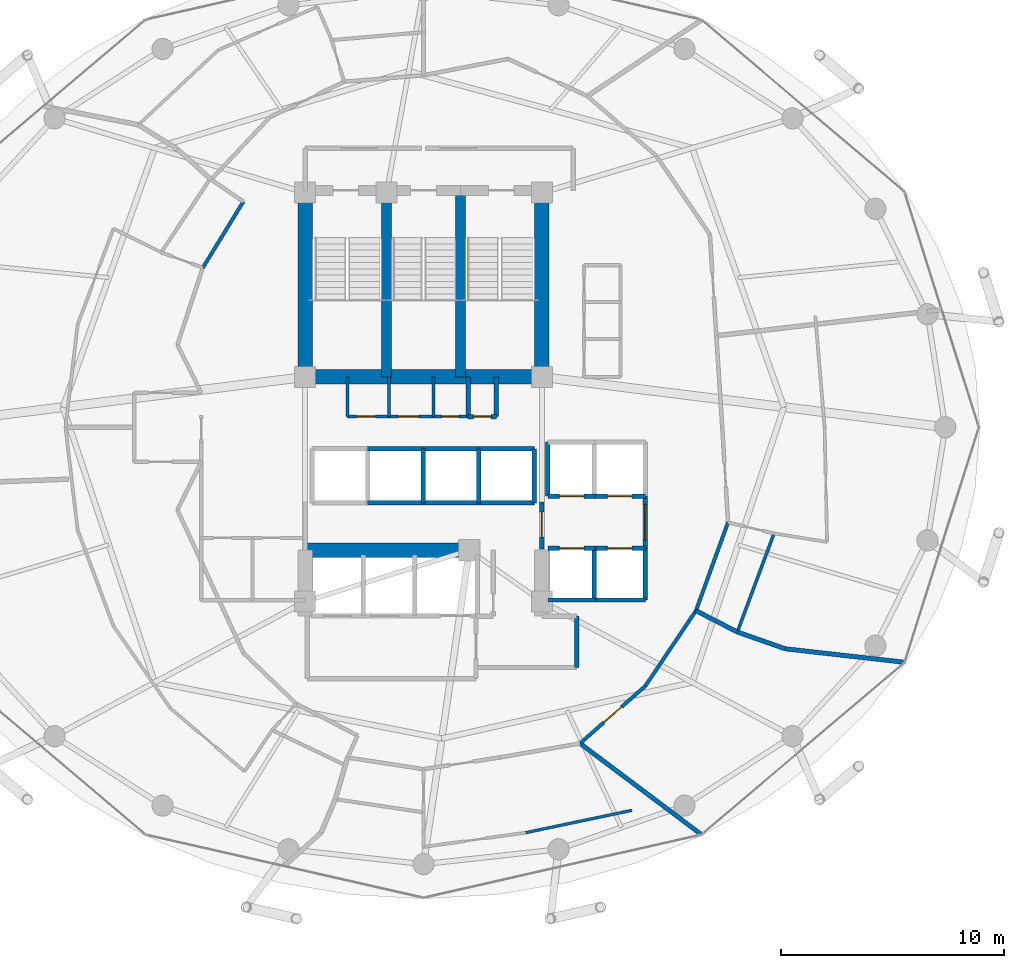
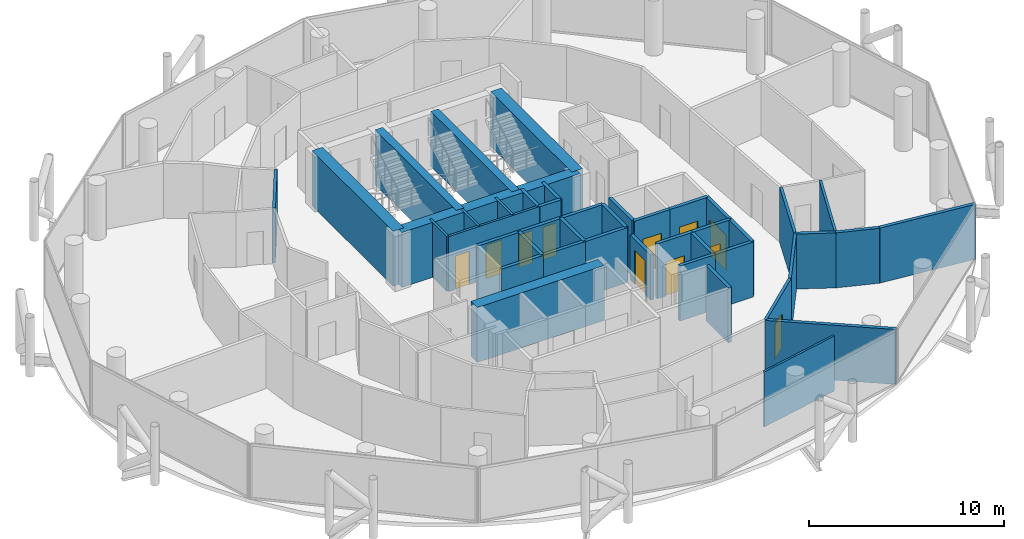
# One storey, part 23 of 26: 44 walls, 11 doors, 11 openings.
"""IFC4 building model written with IfcOpenShell, lengths in metres."""

from ifc_helpers import new_model, si_unit, direction, frame, frame_2d, origin, place, context, subcontext, project, spatial, rectangle, extrude, material, layer, layer_set, type_object, element, fill, save


model = new_model("IFC4")

# Units and contexts
model_context = context("Model", 3, precision=1e-05, world=origin(), true_north=direction((0.0, 1.0)))
body_context = subcontext(model_context, "Body", "Model", "MODEL_VIEW")
ifc_project = project(units=[si_unit("LENGTHUNIT", "METRE"), si_unit("AREAUNIT", "SQUARE_METRE"), si_unit("VOLUMEUNIT", "CUBIC_METRE"), si_unit("PLANEANGLEUNIT", "RADIAN"), si_unit("MASSUNIT", "GRAM", prefix="KILO")], contexts=[model_context])

# Site, building, storey
site_placement = place(None, origin())
site = spatial("IfcSite", under=ifc_project, at=site_placement, CompositionType="ELEMENT")
building_placement = place(site_placement, origin())
building = spatial("IfcBuilding", under=site, at=building_placement, Name="Nuhasar Tower", CompositionType="ELEMENT")
storey_placement = place(building_placement, frame((0.0, 0.0, 136.75)))
storey = spatial("IfcBuildingStorey", under=building, at=storey_placement, Name="L32", CompositionType="ELEMENT", Elevation=136.75)

# Walls
ifc_material_1 = material(Name="Concrete C50/60", Category="concrete")
ifc_layer_1 = layer(ifc_material_1, 0.449951171875)
ifc_layer_set_1 = layer_set([ifc_layer_1], Name="Concrete C50/60")
wall_type_1 = type_object("IfcWallType", Name="WL-CORE-450", PredefinedType="SHEAR", material=ifc_layer_set_1)
for number, where, z_axis, x_axis, name in (
    (1, (37.35009765625, 29.050048828125, 0.0), (0.0, 0.0, 1.0), (0.0, 1.0, 0.0), "L32 Stairwell Shear Wall ST01-E"),
    (2, (40.64990234375, 29.050048828125, 0.0), (0.0, 0.0, 1.0), (0.0, 1.0, 0.0), "L32 Stairwell Shear Wall ST03-E"),
):
    element("IfcWall", number, at=place(storey_placement, frame(where, z_axis=z_axis, x_axis=x_axis)), inside=storey, type_object=wall_type_1, Name=name, PredefinedType="SHEAR", context=body_context, shape_type="SweptSolid", body=[
        extrude(rectangle(XDim=8.349853515625, YDim=0.449951171875, at=frame_2d((4.1748046875, 0.0))), origin(), (0.0, 0.0, 1.0), 3.449951171875),
    ])
ifc_material_2 = material(Name="Concrete C65/80", Category="concrete")
ifc_layer_2 = layer(ifc_material_2, 0.64990234375)
ifc_layer_set_2 = layer_set([ifc_layer_2], Name="Concrete C65/80")
wall_type_2 = type_object("IfcWallType", Name="WL-CORE-650", PredefinedType="SHEAR", material=ifc_layer_set_2)
for number, where, z_axis, x_axis, name in (
    (3, (33.699951171875, 29.050048828125, 0.0), (0.0, 0.0, 1.0), (0.0, 1.0, 0.0), "L32 Core Shear Wall CW-NW CW-650"),
    (4, (44.300048828125, 29.050048828125, 0.0), (0.0, 0.0, 1.0), (0.0, 1.0, 0.0), "L32 Core Shear Wall CW-NE CW-650"),
):
    element("IfcWall", number, at=place(storey_placement, frame(where, z_axis=z_axis, x_axis=x_axis)), inside=storey, type_object=wall_type_2, Name=name, PredefinedType="SHEAR", context=body_context, shape_type="SweptSolid", body=[
        extrude(rectangle(XDim=8.349853515625, YDim=0.64990234375, at=frame_2d((4.1748046875, 0.0))), origin(), (0.0, 0.0, 1.0), 3.449951171875),
    ])
wall_1_placement = place(storey_placement, frame((33.699951171875, 29.050048828125, 0.0), z_axis=(0.0, 0.0, 1.0), x_axis=(1.0, 0.0, 0.0)))
element("IfcWall", 5, at=wall_1_placement, inside=storey, type_object=wall_type_2, Name="L32 Core Shear Wall CW-N1 CW-650", PredefinedType="SHEAR", context=body_context, shape_type="SweptSolid", body=[
    extrude(rectangle(XDim=10.60009765625, YDim=0.64990234375, at=frame_2d((5.300048828125, 0.0))), origin(), (0.0, 0.0, 1.0), 3.449951171875),
])
wall_2_placement = place(storey_placement, frame((33.699951171875, 21.300048828125, 0.0), z_axis=(0.0, 0.0, 1.0), x_axis=(1.0, 0.0, 0.0)))
element("IfcWall", 6, at=wall_2_placement, inside=storey, type_object=wall_type_2, Name="L32 Core Shear Wall CW-S1 CW-650", PredefinedType="SHEAR", context=body_context, shape_type="SweptSolid", body=[
    extrude(rectangle(XDim=7.550048828125, YDim=0.64990234375, at=frame_2d((3.77490234375, 0.0))), origin(), (0.0, 0.0, 1.0), 3.449951171875),
])

# Wall, opening, door
ifc_material_3 = material(Name="Gypsum Board", Category="gypsum")
ifc_layer_3 = layer(ifc_material_3, 0.159912109375)
ifc_layer_set_3 = layer_set([ifc_layer_3], Name="Gypsum Board")
wall_type_3 = type_object("IfcWallType", Name="WL-CORR-160", PredefinedType="PARTITIONING", material=ifc_layer_set_3)
wall_3_placement = place(storey_placement, frame((48.927978515625, 15.221923828125, 0.0), z_axis=(0.0, 0.0, 1.0), x_axis=(-0.751390152027, -0.659858196461, 0.0)))
wall_3 = element("IfcWall", 7, at=wall_3_placement, inside=storey, type_object=wall_type_3, Name="L32 Interior Partition CORR-40", PredefinedType="PARTITIONING", context=body_context, shape_type="SweptSolid", body=[
    extrude(rectangle(XDim=3.8916015625, YDim=0.159912109375, at=frame_2d((1.94580078125, 0.0))), origin(), (0.0, 0.0, 1.0), 3.449951171875),
])
opening_1_placement = place(wall_3_placement, frame((1.4208984375, 0.0, 0.0)))
opening_1 = element("IfcOpeningElement", 8, at=opening_1_placement, cuts=wall_3, Name="Opening DU-01", PredefinedType="OPENING", context=body_context, shape_type="SweptSolid", body=[
    extrude(rectangle(XDim=1.050048828125, YDim=2.14990234375, at=frame_2d((0.52490234375, 1.074951171875))), frame((0.0, 0.08984375, 0.0), z_axis=(0.0, -1.0, 0.0), x_axis=(1.0, 0.0, 0.0)), (0.0, 0.0, 1.0), 0.179931640625),
])
ifc_material_4 = material(Name="Timber Oak", Category="wood")
door_type_1 = type_object("IfcDoorType", Name="DR-SUITE-FD60-1050", OperationType="NOTDEFINED", PredefinedType="DOOR", material=ifc_material_4)
door_1_placement = place(opening_1_placement, origin())
door_1 = element("IfcDoor", 9, at=door_1_placement, inside=storey, type_object=door_type_1, Name="L32 Diplomatic Reading Office Entrance Door", OperationType="SINGLE_SWING_LEFT", OverallHeight=2.14990234375, OverallWidth=1.050048828125, PredefinedType="DOOR", context=body_context, shape_type="SweptSolid", body=[
    extrude(rectangle(XDim=1.050048828125, YDim=2.14990234375, at=frame_2d((0.52490234375, 1.074951171875))), frame((0.0, 0.02490234375, 0.0), z_axis=(0.0, -1.0, 0.0), x_axis=(1.0, 0.0, 0.0)), (0.0, 0.0, 1.0), 0.050048828125),
])
fill(opening_1, door_1)

# Walls
wall_4_placement = place(storey_placement, frame((48.927978515625, 15.221923828125, 0.0), z_axis=(0.0, 0.0, 1.0), x_axis=(0.557736193643, 0.830018275884, 0.0)))
element("IfcWall", 10, at=wall_4_placement, inside=storey, type_object=wall_type_3, Name="L32 Interior Partition CORR-42", PredefinedType="PARTITIONING", context=body_context, shape_type="SweptSolid", body=[
    extrude(rectangle(XDim=4.05908203125, YDim=0.159912109375, at=frame_2d((2.029541015625, 0.0))), origin(), (0.0, 0.0, 1.0), 3.449951171875),
])
wall_5_placement = place(storey_placement, frame((51.19189453125, 18.591064453125, 0.0), z_axis=(0.0, 0.0, 1.0), x_axis=(0.341397947832, 0.939918848208, 0.0)))
element("IfcWall", 11, at=wall_5_placement, inside=storey, type_object=wall_type_3, Name="L32 Interior Partition CORR-44", PredefinedType="PARTITIONING", context=body_context, shape_type="SweptSolid", body=[
    extrude(rectangle(XDim=4.203369140625, YDim=0.159912109375, at=frame_2d((2.1015625, 0.0))), origin(), (0.0, 0.0, 1.0), 3.449951171875),
])
wall_6_placement = place(storey_placement, frame((30.93896484375, 36.89697265625, 0.0), z_axis=(0.0, 0.0, 1.0), x_axis=(-0.522486120877, -0.852647789823, 0.0)))
element("IfcWall", 12, at=wall_6_placement, inside=storey, type_object=wall_type_3, Name="L32 Interior Partition HWEST-CORE-N-18", PredefinedType="PARTITIONING", context=body_context, shape_type="SweptSolid", body=[
    extrude(rectangle(XDim=3.468017578125, YDim=0.159912109375, at=frame_2d((1.73388671875, 0.0))), origin(), (0.0, 0.0, 1.0), 3.449951171875),
])

# Wall, opening, door
ifc_material_5 = material(Name="Concrete C45/55", Category="concrete")
ifc_layer_4 = layer(ifc_material_5, 0.199951171875)
ifc_layer_set_4 = layer_set([ifc_layer_4], Name="Concrete C45/55")
wall_type_4 = type_object("IfcWallType", Name="WL-LOBBY-200", PredefinedType="SOLIDWALL", material=ifc_layer_set_4)
wall_7_placement = place(storey_placement, frame((48.929931640625, 21.3798828125, 0.0), z_axis=(0.0, 0.0, 1.0), x_axis=(0.0, 1.0, 0.0)))
wall_7 = element("IfcWall", 13, at=wall_7_placement, inside=storey, type_object=wall_type_4, Name="L32 Interior Partition LLBM-E", PredefinedType="SOLIDWALL", context=body_context, shape_type="SweptSolid", body=[
    extrude(rectangle(XDim=2.340087890625, YDim=0.199951171875, at=frame_2d((1.169921875, 0.0))), origin(), (0.0, 0.0, 1.0), 3.449951171875),
])
opening_2_placement = place(wall_7_placement, frame((0.3701171875, 0.0, 0.0)))
opening_2 = element("IfcOpeningElement", 14, at=opening_2_placement, cuts=wall_7, Name="Opening DC-01", PredefinedType="OPENING", context=body_context, shape_type="SweptSolid", body=[
    extrude(rectangle(XDim=1.60009765625, YDim=2.199951171875, at=frame_2d((0.800048828125, 1.10009765625))), frame((0.0, 0.10986328125, 0.0), z_axis=(0.0, -1.0, 0.0), x_axis=(1.0, 0.0, 0.0)), (0.0, 0.0, 1.0), 0.219970703125),
])
ifc_material_6 = material(Name="Steel S355", Category="steel")
door_type_2 = type_object("IfcDoorType", Name="DR-CORR-FD60-1600", OperationType="DOUBLE_DOOR_SINGLE_SWING", PredefinedType="DOOR", material=ifc_material_6)
door_2_placement = place(opening_2_placement, origin())
door_2 = element("IfcDoor", 15, at=door_2_placement, inside=storey, type_object=door_type_2, Name="L32 Mid-Rise Lift Lobby East Entry", OperationType="DOUBLE_DOOR_SINGLE_SWING", OverallHeight=2.199951171875, OverallWidth=1.60009765625, PredefinedType="DOOR", context=body_context, shape_type="SweptSolid", body=[
    extrude(rectangle(XDim=1.60009765625, YDim=2.199951171875, at=frame_2d((0.800048828125, 1.10009765625))), frame((0.0, 0.02490234375, 0.0), z_axis=(0.0, -1.0, 0.0), x_axis=(1.0, 0.0, 0.0)), (0.0, 0.0, 1.0), 0.050048828125),
])
fill(opening_2, door_2)

wall_8_placement = place(storey_placement, frame((44.300048828125, 21.35009765625, 0.0), z_axis=(0.0, 0.0, 1.0), x_axis=(0.0, 1.0, 0.0)))
wall_8 = element("IfcWall", 16, at=wall_8_placement, inside=storey, type_object=wall_type_4, Name="L32 Interior Partition LLBH-E", PredefinedType="SOLIDWALL", context=body_context, shape_type="SweptSolid", body=[
    extrude(rectangle(XDim=2.099853515625, YDim=0.199951171875, at=frame_2d((1.0498046875, 0.0))), origin(), (0.0, 0.0, 1.0), 2.8349609375),
])
opening_3_placement = place(wall_8_placement, frame((0.550048828125, 0.0, 0.0)))
opening_3 = element("IfcOpeningElement", 17, at=opening_3_placement, cuts=wall_8, Name="Opening DS-02", PredefinedType="OPENING", context=body_context, shape_type="SweptSolid", body=[
    extrude(rectangle(XDim=1.10009765625, YDim=2.14990234375, at=frame_2d((0.550048828125, 1.074951171875))), frame((0.0, 0.10986328125, 0.0), z_axis=(0.0, -1.0, 0.0), x_axis=(1.0, 0.0, 0.0)), (0.0, 0.0, 1.0), 0.219970703125),
])
door_type_3 = type_object("IfcDoorType", Name="DR-FFL-FD120-1100", OperationType="NOTDEFINED", PredefinedType="DOOR", material=ifc_material_6)
door_3_placement = place(opening_3_placement, origin())
door_3 = element("IfcDoor", 18, at=door_3_placement, inside=storey, type_object=door_type_3, Name="L32 High-Rise Lobby East Door", OperationType="SINGLE_SWING_RIGHT", OverallHeight=2.14990234375, OverallWidth=1.10009765625, PredefinedType="DOOR", context=body_context, shape_type="SweptSolid", body=[
    extrude(rectangle(XDim=1.10009765625, YDim=2.14990234375, at=frame_2d((0.550048828125, 1.074951171875))), frame((0.0, 0.02490234375, 0.0), z_axis=(0.0, -1.0, 0.0), x_axis=(1.0, 0.0, 0.0)), (0.0, 0.0, 1.0), 0.050048828125),
])
fill(opening_3, door_3)

# Walls
wall_9_placement = place(storey_placement, frame((45.85009765625, 16.050048828125, 0.0), z_axis=(0.0, 0.0, 1.0), x_axis=(0.0, 1.0, 0.0)))
element("IfcWall", 19, at=wall_9_placement, inside=storey, type_object=wall_type_4, Name="L32 Interior Partition SVLV-E", PredefinedType="SOLIDWALL", context=body_context, shape_type="SweptSolid", body=[
    extrude(rectangle(XDim=2.300048828125, YDim=0.199951171875, at=frame_2d((1.14990234375, 0.0))), origin(), (0.0, 0.0, 1.0), 3.449951171875),
])
ifc_layer_5 = layer(ifc_material_3, 0.125)
ifc_layer_set_5 = layer_set([ifc_layer_5], Name="Gypsum Board")
wall_type_5 = type_object("IfcWallType", Name="WL-PART-125", PredefinedType="PARTITIONING", material=ifc_layer_set_5)
wall_10_placement = place(storey_placement, frame((43.5810546875, 8.659912109375, 0.0), z_axis=(0.0, 0.0, 1.0), x_axis=(0.978603154657, 0.205756812027, 0.0)))
element("IfcWall", 20, at=wall_10_placement, inside=storey, type_object=wall_type_5, Name="L32 Interior Partition HSAL-01-38", PredefinedType="PARTITIONING", context=body_context, shape_type="SweptSolid", body=[
    extrude(rectangle(XDim=4.8505859375, YDim=0.125, at=frame_2d((2.42529296875, 0.0))), origin(), (0.0, 0.0, 1.0), 3.449951171875),
])
ifc_layer_6 = layer(ifc_material_5, 0.199951171875)
ifc_layer_set_6 = layer_set([ifc_layer_6], Name="Concrete C45/55")
wall_type_6 = type_object("IfcWallType", Name="WL-SHAFT-200", PredefinedType="SOLIDWALL", material=ifc_layer_set_6)
for number, where, z_axis, x_axis, name in (
    (21, (41.0, 27.280029296875, 0.0), (0.0, 0.0, 1.0), (0.0, 1.0, 0.0), "L32 Interior Partition RSRN-W"),
    (22, (42.260009765625, 27.280029296875, 0.0), (0.0, 0.0, 1.0), (0.0, 1.0, 0.0), "L32 Interior Partition RSRN-E"),
):
    element("IfcWall", number, at=place(storey_placement, frame(where, z_axis=z_axis, x_axis=x_axis)), inside=storey, type_object=wall_type_6, Name=name, PredefinedType="SOLIDWALL", context=body_context, shape_type="SweptSolid", body=[
        extrude(rectangle(XDim=1.77001953125, YDim=0.199951171875, at=frame_2d((0.885009765625, 0.0))), origin(), (0.0, 0.0, 1.0), 3.449951171875),
    ])

# Wall, opening, door
wall_11_placement = place(storey_placement, frame((41.0, 27.280029296875, 0.0), z_axis=(0.0, 0.0, 1.0), x_axis=(1.0, 0.0, 0.0)))
wall_11 = element("IfcWall", 23, at=wall_11_placement, inside=storey, type_object=wall_type_6, Name="L32 Interior Partition RSRN-S", PredefinedType="SOLIDWALL", context=body_context, shape_type="SweptSolid", body=[
    extrude(rectangle(XDim=1.260009765625, YDim=0.199951171875, at=frame_2d((0.6298828125, 0.0))), origin(), (0.0, 0.0, 1.0), 3.449951171875),
])
opening_4_placement = place(wall_11_placement, frame((0.22998046875, 0.0, 0.0)))
opening_4 = element("IfcOpeningElement", 24, at=opening_4_placement, cuts=wall_11, Name="Opening DM-01", PredefinedType="OPENING", context=body_context, shape_type="SweptSolid", body=[
    extrude(rectangle(XDim=0.800048828125, YDim=2.050048828125, at=frame_2d((0.39990234375, 1.02490234375))), frame((0.0, 0.10986328125, 0.0), z_axis=(0.0, -1.0, 0.0), x_axis=(1.0, 0.0, 0.0)), (0.0, 0.0, 1.0), 0.219970703125),
])
door_type_4 = type_object("IfcDoorType", Name="DR-RISER-FD60-800", OperationType="NOTDEFINED", PredefinedType="DOOR", material=ifc_material_6)
door_4_placement = place(opening_4_placement, origin())
door_4 = element("IfcDoor", 25, at=door_4_placement, inside=storey, type_object=door_type_4, Name="L32 North Smoke Riser Door", OperationType="SINGLE_SWING_RIGHT", OverallHeight=2.050048828125, OverallWidth=0.800048828125, PredefinedType="DOOR", context=body_context, shape_type="SweptSolid", body=[
    extrude(rectangle(XDim=0.800048828125, YDim=2.050048828125, at=frame_2d((0.39990234375, 1.02490234375))), frame((0.0, 0.02490234375, 0.0), z_axis=(0.0, -1.0, 0.0), x_axis=(1.0, 0.0, 0.0)), (0.0, 0.0, 1.0), 0.050048828125),
])
fill(opening_4, door_4)

wall_12_placement = place(storey_placement, frame((44.570068359375, 23.719970703125, 0.0), z_axis=(0.0, 0.0, 1.0), x_axis=(1.0, 0.0, 0.0)))
wall_12 = element("IfcWall", 26, at=wall_12_placement, inside=storey, type_object=wall_type_6, Name="L32 Interior Partition SHF-PL-M01-S", PredefinedType="SOLIDWALL", context=body_context, shape_type="SweptSolid", body=[
    extrude(rectangle(XDim=2.10986328125, YDim=0.199951171875, at=frame_2d((1.054931640625, 0.0))), origin(), (0.0, 0.0, 1.0), 3.449951171875),
])
opening_5_placement = place(wall_12_placement, frame((0.5048828125, 0.0, 0.0)))
opening_5 = element("IfcOpeningElement", 27, at=opening_5_placement, cuts=wall_12, Name="Opening LD-M01", PredefinedType="OPENING", context=body_context, shape_type="SweptSolid", body=[
    extrude(rectangle(XDim=1.10009765625, YDim=2.14990234375, at=frame_2d((0.550048828125, 1.074951171875))), frame((0.0, 0.10986328125, 0.0), z_axis=(0.0, -1.0, 0.0), x_axis=(1.0, 0.0, 0.0)), (0.0, 0.0, 1.0), 0.219970703125),
])
ifc_material_7 = material(Name="Stainless Steel 316L", Category="steel")
door_type_5 = type_object("IfcDoorType", Name="LD-PAX-1100", OperationType="DOUBLE_DOOR_SLIDING", PredefinedType="DOOR", material=ifc_material_7)
door_5_placement = place(opening_5_placement, origin())
door_5 = element("IfcDoor", 28, at=door_5_placement, inside=storey, type_object=door_type_5, Name="L32 Lift Landing Door PL-M01", OperationType="DOUBLE_DOOR_SLIDING", OverallHeight=2.14990234375, OverallWidth=1.10009765625, PredefinedType="DOOR", context=body_context, shape_type="SweptSolid", body=[
    extrude(rectangle(XDim=1.10009765625, YDim=2.14990234375, at=frame_2d((0.550048828125, 1.074951171875))), frame((0.0, 0.02490234375, 0.0), z_axis=(0.0, -1.0, 0.0), x_axis=(1.0, 0.0, 0.0)), (0.0, 0.0, 1.0), 0.050048828125),
])
fill(opening_5, door_5)

# Wall
wall_13_placement = place(storey_placement, frame((44.570068359375, 23.719970703125, 0.0), z_axis=(0.0, 0.0, 1.0), x_axis=(0.0, 1.0, 0.0)))
element("IfcWall", 29, at=wall_13_placement, inside=storey, type_object=wall_type_6, Name="L32 Interior Partition SHF-PL-M01-W", PredefinedType="SOLIDWALL", context=body_context, shape_type="SweptSolid", body=[
    extrude(rectangle(XDim=2.409912109375, YDim=0.199951171875, at=frame_2d((1.205078125, 0.0))), origin(), (0.0, 0.0, 1.0), 3.449951171875),
])

# Wall, opening, door
wall_14_placement = place(storey_placement, frame((46.6201171875, 23.719970703125, 0.0), z_axis=(0.0, 0.0, 1.0), x_axis=(1.0, 0.0, 0.0)))
wall_14 = element("IfcWall", 30, at=wall_14_placement, inside=storey, type_object=wall_type_6, Name="L32 Interior Partition SHF-PL-M02-S", PredefinedType="SOLIDWALL", context=body_context, shape_type="SweptSolid", body=[
    extrude(rectangle(XDim=2.309814453125, YDim=0.199951171875, at=frame_2d((1.15478515625, 0.0))), origin(), (0.0, 0.0, 1.0), 3.449951171875),
])
opening_6_placement = place(wall_14_placement, frame((0.60498046875, 0.0, 0.0)))
opening_6 = element("IfcOpeningElement", 31, at=opening_6_placement, cuts=wall_14, Name="Opening LD-M02", PredefinedType="OPENING", context=body_context, shape_type="SweptSolid", body=[
    extrude(rectangle(XDim=1.10009765625, YDim=2.14990234375, at=frame_2d((0.550048828125, 1.074951171875))), frame((0.0, 0.10986328125, 0.0), z_axis=(0.0, -1.0, 0.0), x_axis=(1.0, 0.0, 0.0)), (0.0, 0.0, 1.0), 0.219970703125),
])
door_6_placement = place(opening_6_placement, origin())
door_6 = element("IfcDoor", 32, at=door_6_placement, inside=storey, type_object=door_type_5, Name="L32 Lift Landing Door PL-M02", OperationType="DOUBLE_DOOR_SLIDING", OverallHeight=2.14990234375, OverallWidth=1.10009765625, PredefinedType="DOOR", context=body_context, shape_type="SweptSolid", body=[
    extrude(rectangle(XDim=1.10009765625, YDim=2.14990234375, at=frame_2d((0.550048828125, 1.074951171875))), frame((0.0, 0.02490234375, 0.0), z_axis=(0.0, -1.0, 0.0), x_axis=(1.0, 0.0, 0.0)), (0.0, 0.0, 1.0), 0.050048828125),
])
fill(opening_6, door_6)

# Wall
wall_15_placement = place(storey_placement, frame((44.570068359375, 19.070068359375, 0.0), z_axis=(0.0, 0.0, 1.0), x_axis=(1.0, 0.0, 0.0)))
element("IfcWall", 33, at=wall_15_placement, inside=storey, type_object=wall_type_6, Name="L32 Interior Partition SHF-PL-M03-S", PredefinedType="SOLIDWALL", context=body_context, shape_type="SweptSolid", body=[
    extrude(rectangle(XDim=2.10986328125, YDim=0.199951171875, at=frame_2d((1.054931640625, 0.0))), origin(), (0.0, 0.0, 1.0), 3.449951171875),
])

# Wall, opening, door
wall_16_placement = place(storey_placement, frame((44.570068359375, 21.3798828125, 0.0), z_axis=(0.0, 0.0, 1.0), x_axis=(1.0, 0.0, 0.0)))
wall_16 = element("IfcWall", 34, at=wall_16_placement, inside=storey, type_object=wall_type_6, Name="L32 Interior Partition SHF-PL-M03-N", PredefinedType="SOLIDWALL", context=body_context, shape_type="SweptSolid", body=[
    extrude(rectangle(XDim=2.10986328125, YDim=0.199951171875, at=frame_2d((1.054931640625, 0.0))), origin(), (0.0, 0.0, 1.0), 3.449951171875),
])
opening_7_placement = place(wall_16_placement, frame((0.5048828125, 0.0, 0.0)))
opening_7 = element("IfcOpeningElement", 35, at=opening_7_placement, cuts=wall_16, Name="Opening LD-M03", PredefinedType="OPENING", context=body_context, shape_type="SweptSolid", body=[
    extrude(rectangle(XDim=1.10009765625, YDim=2.14990234375, at=frame_2d((0.550048828125, 1.074951171875))), frame((0.0, 0.10986328125, 0.0), z_axis=(0.0, -1.0, 0.0), x_axis=(1.0, 0.0, 0.0)), (0.0, 0.0, 1.0), 0.219970703125),
])
door_7_placement = place(opening_7_placement, origin())
door_7 = element("IfcDoor", 36, at=door_7_placement, inside=storey, type_object=door_type_5, Name="L32 Lift Landing Door PL-M03", OperationType="DOUBLE_DOOR_SLIDING", OverallHeight=2.14990234375, OverallWidth=1.10009765625, PredefinedType="DOOR", context=body_context, shape_type="SweptSolid", body=[
    extrude(rectangle(XDim=1.10009765625, YDim=2.14990234375, at=frame_2d((0.550048828125, 1.074951171875))), frame((0.0, 0.02490234375, 0.0), z_axis=(0.0, -1.0, 0.0), x_axis=(1.0, 0.0, 0.0)), (0.0, 0.0, 1.0), 0.050048828125),
])
fill(opening_7, door_7)

# Walls
for number, where, z_axis, x_axis, name in (
    (37, (46.64990234375, 19.070068359375, 0.0), (0.0, 0.0, 1.0), (0.0, 1.0, 0.0), "L32 Interior Partition SHF-PL-M03-E"),
    (38, (46.6201171875, 19.070068359375, 0.0), (0.0, 0.0, 1.0), (1.0, 0.0, 0.0), "L32 Interior Partition SHF-PL-M04-S"),
):
    element("IfcWall", number, at=place(storey_placement, frame(where, z_axis=z_axis, x_axis=x_axis)), inside=storey, type_object=wall_type_6, Name=name, PredefinedType="SOLIDWALL", context=body_context, shape_type="SweptSolid", body=[
        extrude(rectangle(XDim=2.309814453125, YDim=0.199951171875, at=frame_2d((1.15478515625, 0.0))), origin(), (0.0, 0.0, 1.0), 3.449951171875),
    ])

# Wall, opening, door
wall_17_placement = place(storey_placement, frame((46.6201171875, 21.3798828125, 0.0), z_axis=(0.0, 0.0, 1.0), x_axis=(1.0, 0.0, 0.0)))
wall_17 = element("IfcWall", 39, at=wall_17_placement, inside=storey, type_object=wall_type_6, Name="L32 Interior Partition SHF-PL-M04-N", PredefinedType="SOLIDWALL", context=body_context, shape_type="SweptSolid", body=[
    extrude(rectangle(XDim=2.309814453125, YDim=0.199951171875, at=frame_2d((1.15478515625, 0.0))), origin(), (0.0, 0.0, 1.0), 3.449951171875),
])
opening_8_placement = place(wall_17_placement, frame((0.60498046875, 0.0, 0.0)))
opening_8 = element("IfcOpeningElement", 40, at=opening_8_placement, cuts=wall_17, Name="Opening LD-M04", PredefinedType="OPENING", context=body_context, shape_type="SweptSolid", body=[
    extrude(rectangle(XDim=1.10009765625, YDim=2.14990234375, at=frame_2d((0.550048828125, 1.074951171875))), frame((0.0, 0.10986328125, 0.0), z_axis=(0.0, -1.0, 0.0), x_axis=(1.0, 0.0, 0.0)), (0.0, 0.0, 1.0), 0.219970703125),
])
door_8_placement = place(opening_8_placement, origin())
door_8 = element("IfcDoor", 41, at=door_8_placement, inside=storey, type_object=door_type_5, Name="L32 Lift Landing Door PL-M04", OperationType="DOUBLE_DOOR_SLIDING", OverallHeight=2.14990234375, OverallWidth=1.10009765625, PredefinedType="DOOR", context=body_context, shape_type="SweptSolid", body=[
    extrude(rectangle(XDim=1.10009765625, YDim=2.14990234375, at=frame_2d((0.550048828125, 1.074951171875))), frame((0.0, 0.02490234375, 0.0), z_axis=(0.0, -1.0, 0.0), x_axis=(1.0, 0.0, 0.0)), (0.0, 0.0, 1.0), 0.050048828125),
])
fill(opening_8, door_8)

# Walls
wall_18_placement = place(storey_placement, frame((48.929931640625, 19.070068359375, 0.0), z_axis=(0.0, 0.0, 1.0), x_axis=(0.0, 1.0, 0.0)))
element("IfcWall", 42, at=wall_18_placement, inside=storey, type_object=wall_type_6, Name="L32 Interior Partition SHF-PL-M04-E", PredefinedType="SOLIDWALL", context=body_context, shape_type="SweptSolid", body=[
    extrude(rectangle(XDim=2.309814453125, YDim=0.199951171875, at=frame_2d((1.15478515625, 0.0))), origin(), (0.0, 0.0, 1.0), 3.449951171875),
])
for number, where, z_axis, x_axis, name in (
    (43, (36.5, 23.419921875, 0.0), (0.0, 0.0, 1.0), (1.0, 0.0, 0.0), "L32 Interior Partition SHF-PL-H02-S"),
    (44, (36.5, 25.830078125, 0.0), (0.0, 0.0, 1.0), (1.0, 0.0, 0.0), "L32 Interior Partition SHF-PL-H02-N"),
):
    element("IfcWall", number, at=place(storey_placement, frame(where, z_axis=z_axis, x_axis=x_axis)), inside=storey, type_object=wall_type_6, Name=name, PredefinedType="SOLIDWALL", context=body_context, shape_type="SweptSolid", body=[
        extrude(rectangle(XDim=2.5, YDim=0.199951171875, at=frame_2d((1.25, 0.0))), origin(), (0.0, 0.0, 1.0), 3.449951171875),
    ])
wall_19_placement = place(storey_placement, frame((38.989990234375, 23.419921875, 0.0), z_axis=(0.0, 0.0, 1.0), x_axis=(0.0, 1.0, 0.0)))
element("IfcWall", 45, at=wall_19_placement, inside=storey, type_object=wall_type_6, Name="L32 Interior Partition SHF-PL-H02-E", PredefinedType="SOLIDWALL", context=body_context, shape_type="SweptSolid", body=[
    extrude(rectangle(XDim=2.41015625, YDim=0.199951171875, at=frame_2d((1.205078125, 0.0))), origin(), (0.0, 0.0, 1.0), 3.449951171875),
])
for number, where, z_axis, x_axis, name in (
    (46, (38.97998046875, 23.419921875, 0.0), (0.0, 0.0, 1.0), (1.0, 0.0, 0.0), "L32 Interior Partition SHF-PL-H03-S"),
    (47, (38.97998046875, 25.830078125, 0.0), (0.0, 0.0, 1.0), (1.0, 0.0, 0.0), "L32 Interior Partition SHF-PL-H03-N"),
):
    element("IfcWall", number, at=place(storey_placement, frame(where, z_axis=z_axis, x_axis=x_axis)), inside=storey, type_object=wall_type_6, Name=name, PredefinedType="SOLIDWALL", context=body_context, shape_type="SweptSolid", body=[
        extrude(rectangle(XDim=2.5, YDim=0.199951171875, at=frame_2d((1.25, 0.0))), origin(), (0.0, 0.0, 1.0), 3.449951171875),
    ])
wall_20_placement = place(storey_placement, frame((41.469970703125, 23.419921875, 0.0), z_axis=(0.0, 0.0, 1.0), x_axis=(0.0, 1.0, 0.0)))
element("IfcWall", 48, at=wall_20_placement, inside=storey, type_object=wall_type_6, Name="L32 Interior Partition SHF-PL-H03-E", PredefinedType="SOLIDWALL", context=body_context, shape_type="SweptSolid", body=[
    extrude(rectangle(XDim=2.41015625, YDim=0.199951171875, at=frame_2d((1.205078125, 0.0))), origin(), (0.0, 0.0, 1.0), 3.449951171875),
])
for number, where, z_axis, x_axis, name in (
    (49, (41.4599609375, 23.419921875, 0.0), (0.0, 0.0, 1.0), (1.0, 0.0, 0.0), "L32 Interior Partition SHF-PL-H04-S"),
    (50, (41.4599609375, 25.830078125, 0.0), (0.0, 0.0, 1.0), (1.0, 0.0, 0.0), "L32 Interior Partition SHF-PL-H04-N"),
):
    element("IfcWall", number, at=place(storey_placement, frame(where, z_axis=z_axis, x_axis=x_axis)), inside=storey, type_object=wall_type_6, Name=name, PredefinedType="SOLIDWALL", context=body_context, shape_type="SweptSolid", body=[
        extrude(rectangle(XDim=2.5, YDim=0.199951171875, at=frame_2d((1.25, 0.0))), origin(), (0.0, 0.0, 1.0), 3.449951171875),
    ])
wall_21_placement = place(storey_placement, frame((43.9599609375, 23.419921875, 0.0), z_axis=(0.0, 0.0, 1.0), x_axis=(0.0, 1.0, 0.0)))
element("IfcWall", 51, at=wall_21_placement, inside=storey, type_object=wall_type_6, Name="L32 Interior Partition SHF-PL-H04-E", PredefinedType="SOLIDWALL", context=body_context, shape_type="SweptSolid", body=[
    extrude(rectangle(XDim=2.41015625, YDim=0.199951171875, at=frame_2d((1.205078125, 0.0))), origin(), (0.0, 0.0, 1.0), 3.449951171875),
])
ifc_material_8 = material(Name="Concrete C40/50 precast", Category="concrete")
ifc_layer_7 = layer(ifc_material_8, 0.199951171875)
ifc_layer_set_7 = layer_set([ifc_layer_7], Name="Concrete C40/50 precast")
wall_type_7 = type_object("IfcWallType", Name="WL-UNIT-200", PredefinedType="PARTITIONING", material=ifc_layer_set_7)
wall_22_placement = place(storey_placement, frame((46.00390625, 12.654052734375, 0.0), z_axis=(0.0, 0.0, 1.0), x_axis=(0.79963605391, -0.600484955089, 0.0)))
element("IfcWall", 52, at=wall_22_placement, inside=storey, type_object=wall_type_7, Name="L32 Interior Partition HRAD-40", PredefinedType="PARTITIONING", context=body_context, shape_type="SweptSolid", body=[
    extrude(rectangle(XDim=6.7646484375, YDim=0.199951171875, at=frame_2d((3.38232421875, 0.0))), origin(), (0.0, 0.0, 1.0), 3.449951171875),
])
wall_23_placement = place(storey_placement, frame((51.19189453125, 18.591064453125, 0.0), z_axis=(0.0, 0.0, 1.0), x_axis=(0.88945115707, -0.457030238811, 0.0)))
element("IfcWall", 53, at=wall_23_placement, inside=storey, type_object=wall_type_7, Name="L32 Interior Partition HRAD-44-S1", PredefinedType="PARTITIONING", context=body_context, shape_type="SweptSolid", body=[
    extrude(rectangle(XDim=2.083251953125, YDim=0.199951171875, at=frame_2d((1.04150390625, 0.0))), origin(), (0.0, 0.0, 1.0), 3.449951171875),
])
wall_24_placement = place(storey_placement, frame((53.044921875, 17.638916015625, 0.0), z_axis=(0.0, 0.0, 1.0), x_axis=(0.94343918353, -0.33154563333, 0.0)))
element("IfcWall", 54, at=wall_24_placement, inside=storey, type_object=wall_type_7, Name="L32 Interior Partition HRAD-44-S2", PredefinedType="PARTITIONING", context=body_context, shape_type="SweptSolid", body=[
    extrude(rectangle(XDim=2.26513671875, YDim=0.199951171875, at=frame_2d((1.132568359375, 0.0))), origin(), (0.0, 0.0, 1.0), 3.449951171875),
])
wall_25_placement = place(storey_placement, frame((55.181884765625, 16.887939453125, 0.0), z_axis=(0.0, 0.0, 1.0), x_axis=(0.993676136784, -0.11228417157, 0.0)))
element("IfcWall", 55, at=wall_25_placement, inside=storey, type_object=wall_type_7, Name="L32 Interior Partition HRAD-44-S3", PredefinedType="PARTITIONING", context=body_context, shape_type="SweptSolid", body=[
    extrude(rectangle(XDim=5.35107421875, YDim=0.199951171875, at=frame_2d((2.675537109375, 0.0))), origin(), (0.0, 0.0, 1.0), 3.449951171875),
])
ifc_layer_8 = layer(ifc_material_8, 0.139892578125)
ifc_layer_set_8 = layer_set([ifc_layer_8], Name="Concrete C40/50 precast")
wall_type_8 = type_object("IfcWallType", Name="WL-WET-140", PredefinedType="PARTITIONING", material=ifc_layer_set_8)
wall_26_placement = place(storey_placement, frame((35.60009765625, 27.280029296875, 0.0), z_axis=(0.0, 0.0, 1.0), x_axis=(0.0, 1.0, 0.0)))
element("IfcWall", 56, at=wall_26_placement, inside=storey, type_object=wall_type_8, Name="L32 Interior Partition CSVC-W", PredefinedType="PARTITIONING", context=body_context, shape_type="SweptSolid", body=[
    extrude(rectangle(XDim=1.77001953125, YDim=0.139892578125, at=frame_2d((0.885009765625, 0.0))), origin(), (0.0, 0.0, 1.0), 3.449951171875),
])

# Wall, openings, doors
wall_27_placement = place(storey_placement, frame((35.60009765625, 27.280029296875, 0.0), z_axis=(0.0, 0.0, 1.0), x_axis=(1.0, 0.0, 0.0)))
wall_27 = element("IfcWall", 57, at=wall_27_placement, inside=storey, type_object=wall_type_8, Name="L32 Interior Partition CSVC-S", PredefinedType="PARTITIONING", context=body_context, shape_type="SweptSolid", body=[
    extrude(rectangle(XDim=5.39990234375, YDim=0.139892578125, at=frame_2d((2.699951171875, 0.0))), origin(), (0.0, 0.0, 1.0), 3.449951171875),
])
opening_9_placement = place(wall_27_placement, frame((0.39990234375, 0.0, 0.0)))
opening_9 = element("IfcOpeningElement", 58, at=opening_9_placement, cuts=wall_27, Name="Opening DB-01", PredefinedType="OPENING", context=body_context, shape_type="SweptSolid", body=[
    extrude(rectangle(XDim=0.85009765625, YDim=2.10009765625, at=frame_2d((0.425048828125, 1.050048828125))), frame((0.0, 0.080078125, 0.0), z_axis=(0.0, -1.0, 0.0), x_axis=(1.0, 0.0, 0.0)), (0.0, 0.0, 1.0), 0.159912109375),
])
opening_10_placement = place(wall_27_placement, frame((2.25, 0.0, 0.0)))
opening_10 = element("IfcOpeningElement", 59, at=opening_10_placement, cuts=wall_27, Name="Opening DA-01", PredefinedType="OPENING", context=body_context, shape_type="SweptSolid", body=[
    extrude(rectangle(XDim=0.949951171875, YDim=2.10009765625, at=frame_2d((0.47509765625, 1.050048828125))), frame((0.0, 0.080078125, 0.0), z_axis=(0.0, -1.0, 0.0), x_axis=(1.0, 0.0, 0.0)), (0.0, 0.0, 1.0), 0.159912109375),
])
opening_11_placement = place(wall_27_placement, frame((4.199951171875, 0.0, 0.0)))
opening_11 = element("IfcOpeningElement", 60, at=opening_11_placement, cuts=wall_27, Name="Opening DM-01", PredefinedType="OPENING", context=body_context, shape_type="SweptSolid", body=[
    extrude(rectangle(XDim=0.800048828125, YDim=2.050048828125, at=frame_2d((0.39990234375, 1.02490234375))), frame((0.0, 0.080078125, 0.0), z_axis=(0.0, -1.0, 0.0), x_axis=(1.0, 0.0, 0.0)), (0.0, 0.0, 1.0), 0.159912109375),
])
door_type_6 = type_object("IfcDoorType", Name="DR-ACCWC-950", OperationType="NOTDEFINED", PredefinedType="DOOR", material=ifc_material_4)
door_9_placement = place(opening_10_placement, origin())
door_9 = element("IfcDoor", 61, at=door_9_placement, inside=storey, type_object=door_type_6, Name="L32 Core Accessible WC Door", OperationType="SINGLE_SWING_RIGHT", OverallHeight=2.10009765625, OverallWidth=0.949951171875, PredefinedType="DOOR", context=body_context, shape_type="SweptSolid", body=[
    extrude(rectangle(XDim=0.949951171875, YDim=2.10009765625, at=frame_2d((0.47509765625, 1.050048828125))), frame((0.0, 0.02490234375, 0.0), z_axis=(0.0, -1.0, 0.0), x_axis=(1.0, 0.0, 0.0)), (0.0, 0.0, 1.0), 0.050048828125),
])
fill(opening_10, door_9)
door_type_7 = type_object("IfcDoorType", Name="DR-BATH-850", OperationType="NOTDEFINED", PredefinedType="DOOR", material=ifc_material_4)
door_10_placement = place(opening_9_placement, origin())
door_10 = element("IfcDoor", 62, at=door_10_placement, inside=storey, type_object=door_type_7, Name="L32 Core Male WC Door", OperationType="SINGLE_SWING_LEFT", OverallHeight=2.10009765625, OverallWidth=0.85009765625, PredefinedType="DOOR", context=body_context, shape_type="SweptSolid", body=[
    extrude(rectangle(XDim=0.85009765625, YDim=2.10009765625, at=frame_2d((0.425048828125, 1.050048828125))), frame((0.0, 0.02490234375, 0.0), z_axis=(0.0, -1.0, 0.0), x_axis=(1.0, 0.0, 0.0)), (0.0, 0.0, 1.0), 0.050048828125),
])
fill(opening_9, door_10)
door_11_placement = place(opening_11_placement, origin())
door_11 = element("IfcDoor", 63, at=door_11_placement, inside=storey, type_object=door_type_4, Name="L32 Core Janitor Door", OperationType="SINGLE_SWING_RIGHT", OverallHeight=2.050048828125, OverallWidth=0.800048828125, PredefinedType="DOOR", context=body_context, shape_type="SweptSolid", body=[
    extrude(rectangle(XDim=0.800048828125, YDim=2.050048828125, at=frame_2d((0.39990234375, 1.02490234375))), frame((0.0, 0.02490234375, 0.0), z_axis=(0.0, -1.0, 0.0), x_axis=(1.0, 0.0, 0.0)), (0.0, 0.0, 1.0), 0.050048828125),
])
fill(opening_11, door_11)

# Walls
for number, where, z_axis, x_axis, name in (
    (64, (37.449951171875, 27.280029296875, 0.0), (0.0, 0.0, 1.0), (0.0, 1.0, 0.0), "L32 Interior Partition K1-P1"),
    (65, (39.449951171875, 27.280029296875, 0.0), (0.0, 0.0, 1.0), (0.0, 1.0, 0.0), "L32 Interior Partition K1-P2"),
):
    element("IfcWall", number, at=place(storey_placement, frame(where, z_axis=z_axis, x_axis=x_axis)), inside=storey, type_object=wall_type_8, Name=name, PredefinedType="PARTITIONING", context=body_context, shape_type="SweptSolid", body=[
        extrude(rectangle(XDim=1.77001953125, YDim=0.139892578125, at=frame_2d((0.885009765625, 0.0))), origin(), (0.0, 0.0, 1.0), 3.449951171875),
    ])
wall_28_placement = place(storey_placement, frame((53.044921875, 17.638916015625, 0.0), z_axis=(0.0, 0.0, 1.0), x_axis=(0.348803628314, 0.937195832724, 0.0)))
element("IfcWall", 66, at=wall_28_placement, inside=storey, type_object=wall_type_8, Name="L32 Interior Partition HBF-03-44", PredefinedType="PARTITIONING", context=body_context, shape_type="SweptSolid", body=[
    extrude(rectangle(XDim=4.707763671875, YDim=0.139892578125, at=frame_2d((2.35400390625, 0.0))), origin(), (0.0, 0.0, 1.0), 3.449951171875),
])

save(model, "model.ifc")
